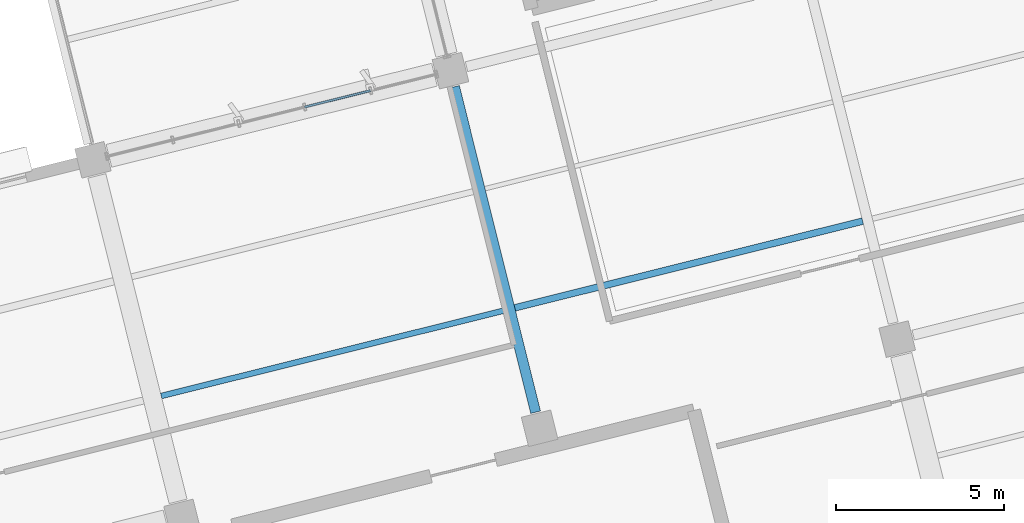
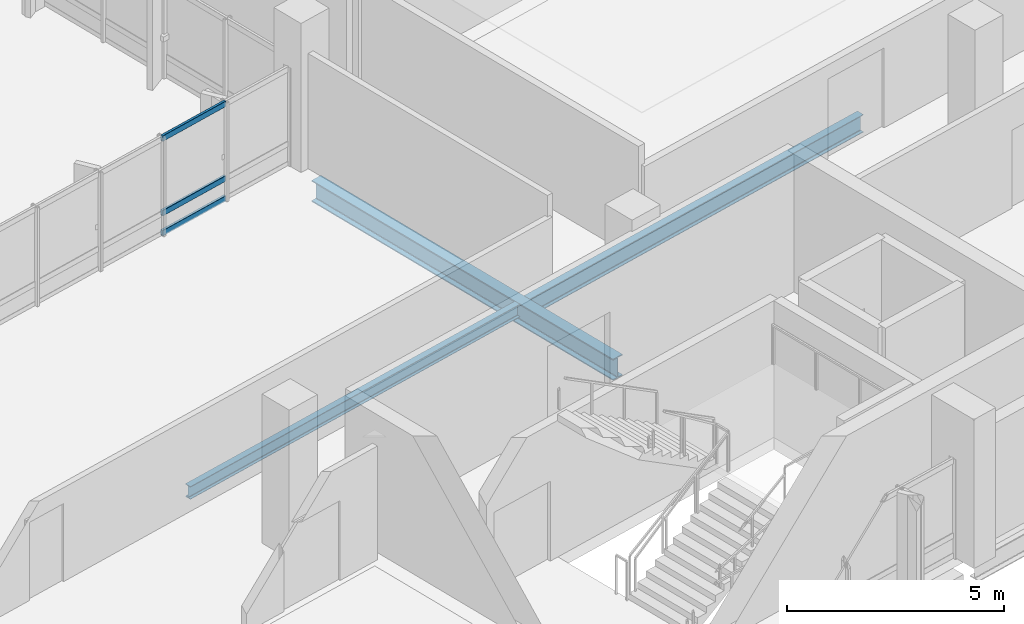
# One storey, part 10 of 42: 3 beams, 3 members, 1 element without a shape of its own.
"""IFC4 building model written with IfcOpenShell, lengths in metres."""

import ifcopenshell
import ifcopenshell.guid

model = None  # the IFC model being written
_history = None  # IfcOwnerHistory: only IFC2X3 demands one
_inside = {}  # id of a spatial element -> (the spatial element, [elements in it])
_under = {}  # id of a project, library or spatial element -> (it, [spatial elements below it])
_declared = {}  # id of a project -> (the project, [libraries it declares])
_typed = {}  # id of a type object -> (the type object, [elements of that type])
_made_of = {}  # id of a material, layer set ... -> (it, [elements and type objects made of it])


def new_model(schema):
    """Start an empty IFC model of exactly this schema.

    Asked for "IFC4X3", IfcOpenShell would pick the latest addendum, in which some entities
    have other attributes; the version numbers below select the first issue.
    IFC2X3 requires an IfcOwnerHistory on every rooted entity: one is made here for all.
    """
    global model, _history
    if schema == "IFC4X3":
        model = ifcopenshell.file(schema_version=(4, 3, 0, 0))
    else:
        model = ifcopenshell.file(schema=schema)
    _inside.clear()
    _under.clear()
    _declared.clear()
    _typed.clear()
    _made_of.clear()
    _history = None
    if model.schema == "IFC2X3":
        org = make("IfcOrganization", Name="unknown")
        user = make(
            "IfcPersonAndOrganization",
            ThePerson=make("IfcPerson", FamilyName="unknown"),
            TheOrganization=org,
        )
        app = make(
            "IfcApplication",
            ApplicationDeveloper=org,
            Version="unknown",
            ApplicationFullName="unknown",
            ApplicationIdentifier="unknown",
        )
        _history = make(
            "IfcOwnerHistory",
            OwningUser=user,
            OwningApplication=app,
            ChangeAction="ADDED",
            CreationDate=0,
        )
    return model


def make(cls, **values):
    """One entity of the class cls with the attributes given. An attribute that is None is left unset."""
    return model.create_entity(
        cls, **{name: value for name, value in values.items() if value is not None}
    )


def rooted(cls, **values):
    """An entity with a GlobalId (a new one), such as an element, a storey or a relation."""
    return make(cls, GlobalId=ifcopenshell.guid.new(), OwnerHistory=_history, **values)


def si_unit(unit_type, name, prefix=None):
    """IfcSIUnit, for example si_unit("LENGTHUNIT", "METRE", prefix="MILLI")."""
    return make("IfcSIUnit", UnitType=unit_type, Prefix=prefix, Name=name)


def assignment(units):
    """IfcUnitAssignment: the units of a project."""
    return None if units is None else make("IfcUnitAssignment", Units=units)


def point(xyz):
    """IfcCartesianPoint."""
    return None if xyz is None else make("IfcCartesianPoint", Coordinates=xyz)


def direction(xyz):
    """IfcDirection."""
    return None if xyz is None else make("IfcDirection", DirectionRatios=xyz)


def frame(location, z_axis=None, x_axis=None):
    """IfcAxis2Placement3D, a coordinate frame: its origin and axes. An axis left out is left unset."""
    return make(
        "IfcAxis2Placement3D",
        Location=point(location),
        Axis=direction(z_axis),
        RefDirection=direction(x_axis),
    )


def frame_2d(location, x_axis=None):
    """IfcAxis2Placement2D, a coordinate frame in the plane: its origin and x axis."""
    return make(
        "IfcAxis2Placement2D", Location=point(location), RefDirection=direction(x_axis)
    )


def origin():
    """The frame at (0, 0, 0) with its axes left unset."""
    return frame((0.0, 0.0, 0.0))


def origin_2d():
    """The frame at (0, 0) in the plane with its x axis left unset."""
    return frame_2d((0.0, 0.0))


def place(relative_to, where):
    """IfcLocalPlacement: puts the frame where relative to a parent placement (None: the world)."""
    return make(
        "IfcLocalPlacement", PlacementRelTo=relative_to, RelativePlacement=where
    )


def context(
    kind, dimensions, precision=None, world=None, true_north=None, identifier=None
):
    """IfcGeometricRepresentationContext, for example the 3D "Model" context."""
    return make(
        "IfcGeometricRepresentationContext",
        ContextIdentifier=identifier,
        ContextType=kind,
        CoordinateSpaceDimension=dimensions,
        Precision=precision,
        WorldCoordinateSystem=world,
        TrueNorth=true_north,
    )


def subcontext(parent, identifier, kind, view, scale=None):
    """IfcGeometricRepresentationSubContext, for example "Body" below "Model"."""
    return make(
        "IfcGeometricRepresentationSubContext",
        ContextIdentifier=identifier,
        ContextType=kind,
        ParentContext=parent,
        TargetScale=scale,
        TargetView=view,
    )


def project(units=None, contexts=None):
    """IfcProject with its units and contexts."""
    return rooted(
        "IfcProject",
        Name="project",
        RepresentationContexts=contexts,
        UnitsInContext=assignment(units),
    )


def spatial(cls, under=None, at=None, **own):
    """A site, building, storey or space (cls), placed at a placement, below another one or the project."""
    s = rooted(cls, ObjectPlacement=at, **own)
    if under is not None:
        _under.setdefault(under.id(), (under, []))[1].append(s)
    return s


def profile(cls, at=None, kind="AREA", **sizes):
    """A parametric profile (cls). Its sizes go by their IFC names, for example OverallWidth=200.0."""
    return make(cls, ProfileType=kind, Position=at, **sizes)


def hollow_rectangle(**sizes):
    """IfcRectangleHollowProfileDef."""
    return profile("IfcRectangleHollowProfileDef", **sizes)


def i_section(**sizes):
    """IfcIShapeProfileDef."""
    return profile("IfcIShapeProfileDef", **sizes)


def extrude(swept, where, along, depth):
    """IfcExtrudedAreaSolid: the profile swept, set in the frame where, extruded along a direction by depth."""
    return make(
        "IfcExtrudedAreaSolid",
        SweptArea=swept,
        Position=where,
        ExtrudedDirection=direction(along),
        Depth=depth,
    )


def shape(context_of_items, identifier, shape_type, items):
    """IfcShapeRepresentation: the items that make up one representation, for example the "Body"."""
    return make(
        "IfcShapeRepresentation",
        ContextOfItems=context_of_items,
        RepresentationIdentifier=identifier,
        RepresentationType=shape_type,
        Items=items,
    )


def material(Name=None, Category=None):
    """IfcMaterial."""
    return make("IfcMaterial", Name=Name, Category=Category)


def layer(
    of_material, thickness, ventilated=None, Name=None, Category=None, Priority=None
):
    """IfcMaterialLayer: one layer of a wall or slab, of a material (None: an air gap)."""
    return make(
        "IfcMaterialLayer",
        Material=of_material,
        LayerThickness=thickness,
        IsVentilated=ventilated,
        Name=Name,
        Category=Category,
        Priority=Priority,
    )


def layer_set(layers, Name=None):
    """IfcMaterialLayerSet."""
    return make("IfcMaterialLayerSet", MaterialLayers=layers, LayerSetName=Name)


def material_profile(
    of_material, cross_section, Name=None, Category=None, Priority=None
):
    """IfcMaterialProfile: a cross section and its material."""
    return make(
        "IfcMaterialProfile",
        Name=Name,
        Material=of_material,
        Profile=cross_section,
        Priority=Priority,
        Category=Category,
    )


def profile_set(profiles, Name=None, composite=None):
    """IfcMaterialProfileSet."""
    return make(
        "IfcMaterialProfileSet",
        Name=Name,
        MaterialProfiles=profiles,
        CompositeProfile=composite,
    )


def made_of(thing, what):
    """Note that an element or type object is made of a material, layer set ...; save() writes the relation."""
    if what is not None:
        _made_of.setdefault(what.id(), (what, []))[1].append(thing)
    return thing


def type_object(cls, material=None, **own):
    """A type object (cls), such as IfcWallType, which elements share."""
    return made_of(rooted(cls, **own), material)


def element(
    cls,
    number,
    at=None,
    inside=None,
    cuts=None,
    type_object=None,
    material=None,
    context=None,
    identifier="Body",
    shape_type=None,
    held_by="IfcProductDefinitionShape",
    body=None,
    shapes=None,
    **own,
):
    """One element of the class cls, such as IfcWall. Its Tag is "e" and its number.

    at: its placement. inside: the storey or other place that contains it. cuts: it is an
    opening in that element (IfcRelVoidsElement). A single representation is given by context,
    identifier, shape_type and body (its items); several are given by shapes. held_by: the class
    of the entity that holds the representations. save() writes the other relations.
    """
    e = rooted(cls, Tag="e%d" % number, ObjectPlacement=at, **own)
    if body is not None:
        shapes = [shape(context, identifier, shape_type, body)]
    if shapes is not None:
        e.Representation = make(held_by, Representations=shapes)
    if inside is not None:
        _inside.setdefault(inside.id(), (inside, []))[1].append(e)
    if cuts is not None:
        rooted(
            "IfcRelVoidsElement", RelatingBuildingElement=cuts, RelatedOpeningElement=e
        )
    if type_object is not None:
        _typed.setdefault(type_object.id(), (type_object, []))[1].append(e)
    return made_of(e, material)


def aggregate(whole, parts):
    """IfcRelAggregates: a whole, such as a stair, and the parts it consists of."""
    return rooted("IfcRelAggregates", RelatingObject=whole, RelatedObjects=parts)


def save(model, path):
    """Write the relations noted so far, then the file.

    IfcRelAggregates (storeys below a building ...), IfcRelContainedInSpatialStructure (elements
    in a storey), IfcRelDefinesByType, IfcRelAssociatesMaterial and IfcRelDeclares: one each for
    every whole, place, type object, material and project.
    """
    for whole, parts in _under.values():
        aggregate(whole, parts)
    for where, things in _inside.values():
        rooted(
            "IfcRelContainedInSpatialStructure",
            RelatedElements=things,
            RelatingStructure=where,
        )
    for kind, things in _typed.values():
        rooted("IfcRelDefinesByType", RelatedObjects=things, RelatingType=kind)
    for what, things in _made_of.values():
        rooted("IfcRelAssociatesMaterial", RelatedObjects=things, RelatingMaterial=what)
    for by, libraries in _declared.values():
        rooted("IfcRelDeclares", RelatingContext=by, RelatedDefinitions=libraries)
    model.write(path)


model = new_model("IFC4")

# Units and contexts
model_context = context("Model", 3, precision=1e-05, world=origin(), true_north=direction((0.0, 1.0)))
body_context = subcontext(model_context, "Body", "Model", "MODEL_VIEW")
ifc_project = project(units=[si_unit("LENGTHUNIT", "METRE"), si_unit("AREAUNIT", "SQUARE_METRE"), si_unit("VOLUMEUNIT", "CUBIC_METRE"), si_unit("PLANEANGLEUNIT", "RADIAN"), si_unit("MASSUNIT", "GRAM", prefix="KILO")], contexts=[model_context])

# Site, building, storey
site_placement = place(None, origin())
site = spatial("IfcSite", under=ifc_project, at=site_placement, CompositionType="ELEMENT")
building_placement = place(site_placement, origin())
building = spatial("IfcBuilding", under=site, at=building_placement, Name="Khorjan Park Terminus", CompositionType="ELEMENT")
storey_placement = place(building_placement, frame((0.0, 0.0, 20.4)))
storey = spatial("IfcBuildingStorey", under=building, at=storey_placement, Name="L04", CompositionType="ELEMENT", Elevation=20.4)

# Beams
ifc_material_1 = material(Name="Steel S355", Category="steel")
ifc_material_profile_1 = material_profile(ifc_material_1, i_section(OverallWidth=0.3, OverallDepth=0.6, WebThickness=0.0155, FlangeThickness=0.03, FilletRadius=0.027, at=origin_2d()), Name="HEB 600")
ifc_profile_set_1 = profile_set([ifc_material_profile_1], Name="Steel S355")
beam_type_1 = type_object("IfcBeamType", Name="BM-HEB600", PredefinedType="BEAM", material=ifc_profile_set_1)
beam_1_placement = place(storey_placement, frame((205.9121, 23.7981, -0.64), z_axis=(-0.241917372283, 0.970296854054, 0.0), x_axis=(-0.970296854054, -0.241917372283, 0.0)))
element("IfcBeam", 1, at=beam_1_placement, inside=storey, type_object=beam_type_1, Name="Primary skew-grid floor girder SB-B60 (L04)", PredefinedType="BEAM", context=body_context, shape_type="SweptSolid", body=[
    extrude(i_section(OverallWidth=0.3, OverallDepth=0.6, WebThickness=0.0155, FlangeThickness=0.03, FilletRadius=0.027, at=origin_2d()), origin(), (0.0, 0.0, 1.0), 10.01),
])
ifc_material_profile_2 = material_profile(ifc_material_1, i_section(OverallWidth=0.17, OverallDepth=0.36, WebThickness=0.008, FlangeThickness=0.0127, FilletRadius=0.018, at=origin_2d()), Name="IPE 360")
ifc_profile_set_2 = profile_set([ifc_material_profile_2], Name="Steel S355")
beam_type_2 = type_object("IfcBeamType", Name="JS-IPE360", PredefinedType="JOIST", material=ifc_profile_set_2)
beam_2_placement = place(storey_placement, frame((194.7384, 24.281, -0.52), z_axis=(0.970296385626, 0.241919251074, 0.0), x_axis=(-0.241919251074, 0.970296385626, 0.0)))
element("IfcBeam", 2, at=beam_2_placement, inside=storey, type_object=beam_type_2, Name="Secondary composite floor joist SJ-36 (L04)", PredefinedType="JOIST", context=body_context, shape_type="SweptSolid", body=[
    extrude(i_section(OverallWidth=0.17, OverallDepth=0.36, WebThickness=0.008, FlangeThickness=0.0127, FilletRadius=0.018, at=origin_2d()), origin(), (0.0, 0.0, 1.0), 10.575),
])
ifc_material_profile_3 = material_profile(ifc_material_1, i_section(OverallWidth=0.2, OverallDepth=0.5, WebThickness=0.0102, FlangeThickness=0.016, FilletRadius=0.021, at=origin_2d()), Name="IPE 500")
ifc_profile_set_3 = profile_set([ifc_material_profile_3], Name="Steel S355")
beam_type_3 = type_object("IfcBeamType", Name="JS-IPE500", PredefinedType="JOIST", material=ifc_profile_set_3)
beam_3_placement = place(storey_placement, frame((205.2904, 26.9119, -0.59), z_axis=(0.970294591155, 0.241926448278, 0.0), x_axis=(-0.241926448278, 0.970294591155, 0.0)))
element("IfcBeam", 3, at=beam_3_placement, inside=storey, type_object=beam_type_3, Name="Secondary composite floor joist SJ-50 (L04)", PredefinedType="JOIST", context=body_context, shape_type="SweptSolid", body=[
    extrude(i_section(OverallWidth=0.2, OverallDepth=0.5, WebThickness=0.0102, FlangeThickness=0.016, FilletRadius=0.021, at=origin_2d()), origin(), (0.0, 0.0, 1.0), 10.6999),
])

# Curtain wall, members
ifc_material_2 = material(Name="Anodized Bronze Aluminium", Category="aluminium")
ifc_layer = layer(ifc_material_2, 0.22)
ifc_layer_set = layer_set([ifc_layer], Name="Anodized Bronze Aluminium")
curtain_wall_type = type_object("IfcCurtainWallType", Name="CW-OPS-B", PredefinedType="NOTDEFINED", material=ifc_layer_set)
curtain_wall_placement = place(storey_placement, origin())
curtain_wall = element("IfcCurtainWall", 4, at=curtain_wall_placement, inside=storey, type_object=curtain_wall_type, Name="Unitized curtain wall CW-B (CW-V5-NW2-L04-B01)", PredefinedType="NOTDEFINED")
ifc_material_profile_4 = material_profile(ifc_material_2, hollow_rectangle(XDim=0.07, YDim=0.16, WallThickness=0.004, InnerFilletRadius=0.004, OuterFilletRadius=0.008, at=origin_2d()), Name="ALT 70x160x4")
ifc_profile_set_4 = profile_set([ifc_material_profile_4], Name="Anodized Bronze Aluminium")
member_type = type_object("IfcMemberType", Name="TR-ALT-160", PredefinedType="USERDEFINED", material=ifc_profile_set_4)
member_1_placement = place(storey_placement, frame((200.9858, 33.3964, 0.04), z_axis=(-0.970301811202, -0.241897488986, 0.0), x_axis=(0.241897488986, -0.970301811202, 0.0)))
member_1 = element("IfcMember", 5, at=member_1_placement, type_object=member_type, Name="Curtain-wall transom TR-16 (CW-V5-NW2-L04-B01-1-1)", ObjectType="TRANSOM", PredefinedType="USERDEFINED", context=body_context, shape_type="SweptSolid", body=[
    extrude(hollow_rectangle(XDim=0.07, YDim=0.16, WallThickness=0.004, InnerFilletRadius=0.004, OuterFilletRadius=0.008, at=origin_2d()), origin(), (0.0, 0.0, 1.0), 2.0281),
])
member_2_placement = place(storey_placement, frame((200.9858, 33.3964, 0.604), z_axis=(-0.970301811202, -0.241897488986, 0.0), x_axis=(0.241897488986, -0.970301811202, 0.0)))
member_2 = element("IfcMember", 6, at=member_2_placement, type_object=member_type, Name="Curtain-wall transom TR-16 (CW-V5-NW2-L04-B01-1-2)", ObjectType="TRANSOM", PredefinedType="USERDEFINED", context=body_context, shape_type="SweptSolid", body=[
    extrude(hollow_rectangle(XDim=0.07, YDim=0.16, WallThickness=0.004, InnerFilletRadius=0.004, OuterFilletRadius=0.008, at=origin_2d()), origin(), (0.0, 0.0, 1.0), 2.0281),
])
member_3_placement = place(storey_placement, frame((200.9858, 33.3964, 2.705), z_axis=(-0.970301811202, -0.241897488986, 0.0), x_axis=(0.241897488986, -0.970301811202, 0.0)))
member_3 = element("IfcMember", 7, at=member_3_placement, type_object=member_type, Name="Curtain-wall transom TR-16 (CW-V5-NW2-L04-B01-1-3)", ObjectType="TRANSOM", PredefinedType="USERDEFINED", context=body_context, shape_type="SweptSolid", body=[
    extrude(hollow_rectangle(XDim=0.07, YDim=0.16, WallThickness=0.004, InnerFilletRadius=0.004, OuterFilletRadius=0.008, at=origin_2d()), origin(), (0.0, 0.0, 1.0), 2.0281),
])
aggregate(curtain_wall, [member_1, member_2, member_3])

save(model, "model.ifc")
